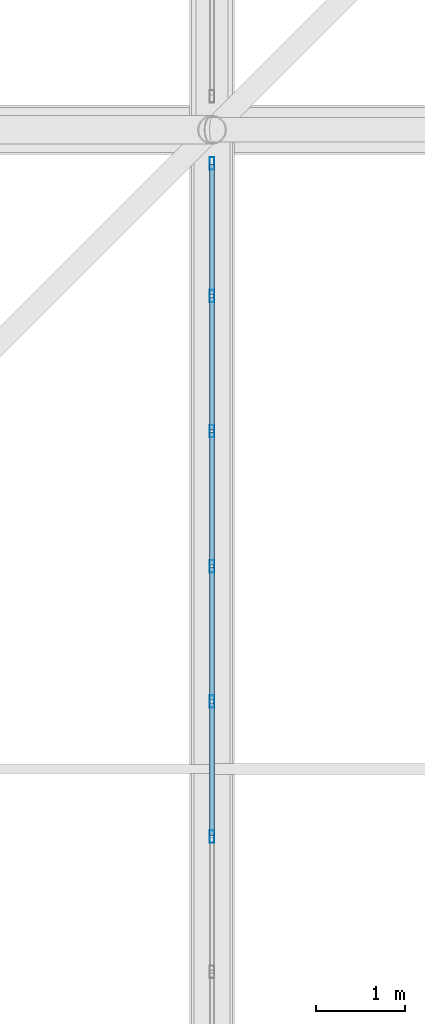
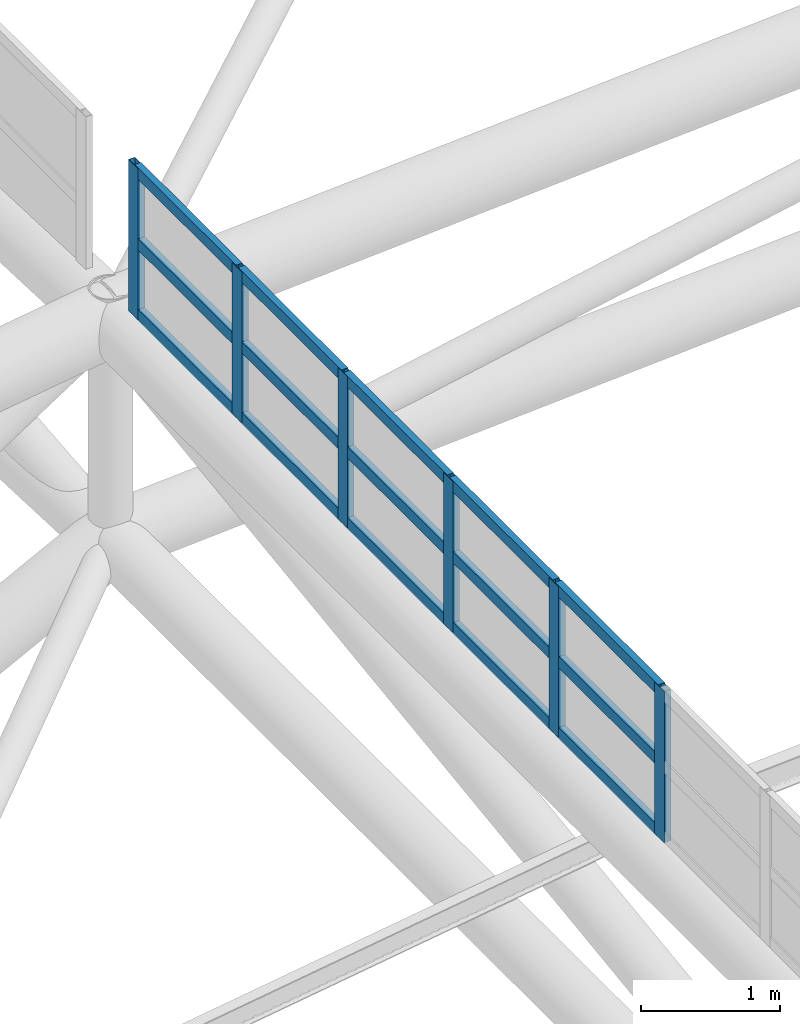
# One storey, part 183 of 397: 21 members, 1 element without a shape of its own.
"""IFC4 building model written with IfcOpenShell, lengths in metres."""

from ifc_helpers import new_model, si_unit, direction, frame, origin, origin_2d, place, context, subcontext, project, spatial, hollow_rectangle, extrude, material, material_profile, profile_set, type_object, element, aggregate, save


model = new_model("IFC4")

# Units and contexts
model_context = context("Model", 3, precision=1e-05, world=origin(), true_north=direction((0.0, 1.0)))
body_context = subcontext(model_context, "Body", "Model", "MODEL_VIEW")
ifc_project = project(units=[si_unit("LENGTHUNIT", "METRE"), si_unit("AREAUNIT", "SQUARE_METRE"), si_unit("VOLUMEUNIT", "CUBIC_METRE"), si_unit("PLANEANGLEUNIT", "RADIAN"), si_unit("MASSUNIT", "GRAM", prefix="KILO")], contexts=[model_context])

# Site, building, storey
site_placement = place(None, origin())
site = spatial("IfcSite", under=ifc_project, at=site_placement, CompositionType="ELEMENT")
building_placement = place(site_placement, origin())
building = spatial("IfcBuilding", under=site, at=building_placement, Name="Qandorah Velis Arena", CompositionType="ELEMENT")
storey_placement = place(building_placement, frame((0.0, 0.0, 27.5)))
storey = spatial("IfcBuildingStorey", under=building, at=storey_placement, Name="RF", CompositionType="ELEMENT", Elevation=27.5)

# Curtain wall, members
ifc_material_1 = material(Name="Solar-control low-E double glazing", Category="glass")
curtain_wall_type = type_object("IfcCurtainWallType", Name="ARC-CW-SYS08", PredefinedType="USERDEFINED", material=ifc_material_1)
curtain_wall_placement = place(storey_placement, origin())
curtain_wall = element("IfcCurtainWall", 1, at=curtain_wall_placement, inside=storey, type_object=curtain_wall_type, Name="Unitised curtain wall OCULUS-1-3", ObjectType="UNITISED CURTAIN WALL", PredefinedType="USERDEFINED")
ifc_material_2 = material(Name="Champagne-bronze anodized aluminium 6063-T6", Category="aluminium")
ifc_material_profile_1 = material_profile(ifc_material_2, hollow_rectangle(XDim=0.054931640625, YDim=0.139892578125, WallThickness=0.0029296875, at=origin_2d()), Name="ALU MULLION 55x140")
ifc_profile_set_1 = profile_set([ifc_material_profile_1], Name="Champagne-bronze anodized aluminium 6063-T6")
member_type_1 = type_object("IfcMemberType", Name="ARC-CWM-140", PredefinedType="MULLION", material=ifc_profile_set_1)
member_1_placement = place(storey_placement, frame((28.800048828125, 64.038818359375, 9.68408203125), z_axis=(0.0, 0.0, 1.0), x_axis=(-1.0, 0.0, 0.0)))
member_1 = element("IfcMember", 2, at=member_1_placement, type_object=member_type_1, Name="CW08 mullion 5", PredefinedType="MULLION", context=body_context, shape_type="SweptSolid", body=[
    extrude(hollow_rectangle(XDim=0.054931640625, YDim=0.139892578125, WallThickness=0.0029296875, at=origin_2d()), origin(), (0.0, 0.0, 1.0), 1.330810546875),
])
member_2_placement = place(storey_placement, frame((28.800048828125, 65.56103515625, 9.68408203125), z_axis=(0.0, 0.0, 1.0), x_axis=(-1.0, 0.0, 0.0)))
member_2 = element("IfcMember", 3, at=member_2_placement, type_object=member_type_1, Name="CW08 mullion 6", PredefinedType="MULLION", context=body_context, shape_type="SweptSolid", body=[
    extrude(hollow_rectangle(XDim=0.054931640625, YDim=0.139892578125, WallThickness=0.0029296875, at=origin_2d()), origin(), (0.0, 0.0, 1.0), 1.330810546875),
])
member_3_placement = place(storey_placement, frame((28.800048828125, 67.083251953125, 9.68408203125), z_axis=(0.0, 0.0, 1.0), x_axis=(-1.0, 0.0, 0.0)))
member_3 = element("IfcMember", 4, at=member_3_placement, type_object=member_type_1, Name="CW08 mullion 7", PredefinedType="MULLION", context=body_context, shape_type="SweptSolid", body=[
    extrude(hollow_rectangle(XDim=0.054931640625, YDim=0.139892578125, WallThickness=0.0029296875, at=origin_2d()), origin(), (0.0, 0.0, 1.0), 1.330810546875),
])
member_4_placement = place(storey_placement, frame((28.800048828125, 68.60546875, 9.68408203125), z_axis=(0.0, 0.0, 1.0), x_axis=(-1.0, 0.0, 0.0)))
member_4 = element("IfcMember", 5, at=member_4_placement, type_object=member_type_1, Name="CW08 mullion 8", PredefinedType="MULLION", context=body_context, shape_type="SweptSolid", body=[
    extrude(hollow_rectangle(XDim=0.054931640625, YDim=0.139892578125, WallThickness=0.0029296875, at=origin_2d()), origin(), (0.0, 0.0, 1.0), 1.330810546875),
])
member_5_placement = place(storey_placement, frame((28.800048828125, 70.127685546875, 9.68408203125), z_axis=(0.0, 0.0, 1.0), x_axis=(-1.0, 0.0, 0.0)))
member_5 = element("IfcMember", 6, at=member_5_placement, type_object=member_type_1, Name="CW08 mullion 9", PredefinedType="MULLION", context=body_context, shape_type="SweptSolid", body=[
    extrude(hollow_rectangle(XDim=0.054931640625, YDim=0.139892578125, WallThickness=0.0029296875, at=origin_2d()), origin(), (0.0, 0.0, 1.0), 1.330810546875),
])
member_6_placement = place(storey_placement, frame((28.800048828125, 71.62255859375, 9.68408203125), z_axis=(0.0, 0.0, 1.0), x_axis=(-1.0, 0.0, 0.0)))
member_6 = element("IfcMember", 7, at=member_6_placement, type_object=member_type_1, Name="CW08 mullion 10", PredefinedType="MULLION", context=body_context, shape_type="SweptSolid", body=[
    extrude(hollow_rectangle(XDim=0.054931640625, YDim=0.139892578125, WallThickness=0.0029296875, at=origin_2d()), origin(), (0.0, 0.0, 1.0), 1.330810546875),
])
ifc_material_profile_2 = material_profile(ifc_material_2, hollow_rectangle(XDim=0.054931640625, YDim=0.10009765625, WallThickness=0.0029296875, at=origin_2d()), Name="ALU TRANSOM 55x100")
ifc_profile_set_2 = profile_set([ifc_material_profile_2], Name="Champagne-bronze anodized aluminium 6063-T6")
member_type_2 = type_object("IfcMemberType", Name="ARC-CWT-100", PredefinedType="USERDEFINED", material=ifc_profile_set_2)
member_7_placement = place(storey_placement, frame((28.800048828125, 64.054443359375, 9.7265625), z_axis=(0.0, 1.0, 0.0), x_axis=(-1.0, 0.0, 0.0)))
member_7 = element("IfcMember", 8, at=member_7_placement, type_object=member_type_2, Name="CW08 transom 5.1", ObjectType="TRANSOM", PredefinedType="USERDEFINED", context=body_context, shape_type="SweptSolid", body=[
    extrude(hollow_rectangle(XDim=0.054931640625, YDim=0.10009765625, WallThickness=0.0029296875, at=origin_2d()), origin(), (0.0, 0.0, 1.0), 1.4912109375),
])
member_8_placement = place(storey_placement, frame((28.800048828125, 64.054443359375, 10.349609375), z_axis=(0.0, 1.0, 0.0), x_axis=(-1.0, 0.0, 0.0)))
member_8 = element("IfcMember", 9, at=member_8_placement, type_object=member_type_2, Name="CW08 transom 5.2", ObjectType="TRANSOM", PredefinedType="USERDEFINED", context=body_context, shape_type="SweptSolid", body=[
    extrude(hollow_rectangle(XDim=0.054931640625, YDim=0.10009765625, WallThickness=0.0029296875, at=origin_2d()), origin(), (0.0, 0.0, 1.0), 1.4912109375),
])
member_9_placement = place(storey_placement, frame((28.800048828125, 64.054443359375, 10.972412109375), z_axis=(0.0, 1.0, 0.0), x_axis=(-1.0, 0.0, 0.0)))
member_9 = element("IfcMember", 10, at=member_9_placement, type_object=member_type_2, Name="CW08 transom 5.3", ObjectType="TRANSOM", PredefinedType="USERDEFINED", context=body_context, shape_type="SweptSolid", body=[
    extrude(hollow_rectangle(XDim=0.054931640625, YDim=0.10009765625, WallThickness=0.0029296875, at=origin_2d()), origin(), (0.0, 0.0, 1.0), 1.4912109375),
])
member_10_placement = place(storey_placement, frame((28.800048828125, 65.57666015625, 9.7265625), z_axis=(0.0, 1.0, 0.0), x_axis=(-1.0, 0.0, 0.0)))
member_10 = element("IfcMember", 11, at=member_10_placement, type_object=member_type_2, Name="CW08 transom 6.1", ObjectType="TRANSOM", PredefinedType="USERDEFINED", context=body_context, shape_type="SweptSolid", body=[
    extrude(hollow_rectangle(XDim=0.054931640625, YDim=0.10009765625, WallThickness=0.0029296875, at=origin_2d()), origin(), (0.0, 0.0, 1.0), 1.4912109375),
])
member_11_placement = place(storey_placement, frame((28.800048828125, 65.57666015625, 10.349609375), z_axis=(0.0, 1.0, 0.0), x_axis=(-1.0, 0.0, 0.0)))
member_11 = element("IfcMember", 12, at=member_11_placement, type_object=member_type_2, Name="CW08 transom 6.2", ObjectType="TRANSOM", PredefinedType="USERDEFINED", context=body_context, shape_type="SweptSolid", body=[
    extrude(hollow_rectangle(XDim=0.054931640625, YDim=0.10009765625, WallThickness=0.0029296875, at=origin_2d()), origin(), (0.0, 0.0, 1.0), 1.4912109375),
])
member_12_placement = place(storey_placement, frame((28.800048828125, 65.57666015625, 10.972412109375), z_axis=(0.0, 1.0, 0.0), x_axis=(-1.0, 0.0, 0.0)))
member_12 = element("IfcMember", 13, at=member_12_placement, type_object=member_type_2, Name="CW08 transom 6.3", ObjectType="TRANSOM", PredefinedType="USERDEFINED", context=body_context, shape_type="SweptSolid", body=[
    extrude(hollow_rectangle(XDim=0.054931640625, YDim=0.10009765625, WallThickness=0.0029296875, at=origin_2d()), origin(), (0.0, 0.0, 1.0), 1.4912109375),
])
member_13_placement = place(storey_placement, frame((28.800048828125, 67.098876953125, 9.7265625), z_axis=(0.0, 1.0, 0.0), x_axis=(-1.0, 0.0, 0.0)))
member_13 = element("IfcMember", 14, at=member_13_placement, type_object=member_type_2, Name="CW08 transom 7.1", ObjectType="TRANSOM", PredefinedType="USERDEFINED", context=body_context, shape_type="SweptSolid", body=[
    extrude(hollow_rectangle(XDim=0.054931640625, YDim=0.10009765625, WallThickness=0.0029296875, at=origin_2d()), origin(), (0.0, 0.0, 1.0), 1.4912109375),
])
member_14_placement = place(storey_placement, frame((28.800048828125, 67.098876953125, 10.349609375), z_axis=(0.0, 1.0, 0.0), x_axis=(-1.0, 0.0, 0.0)))
member_14 = element("IfcMember", 15, at=member_14_placement, type_object=member_type_2, Name="CW08 transom 7.2", ObjectType="TRANSOM", PredefinedType="USERDEFINED", context=body_context, shape_type="SweptSolid", body=[
    extrude(hollow_rectangle(XDim=0.054931640625, YDim=0.10009765625, WallThickness=0.0029296875, at=origin_2d()), origin(), (0.0, 0.0, 1.0), 1.4912109375),
])
member_15_placement = place(storey_placement, frame((28.800048828125, 67.098876953125, 10.972412109375), z_axis=(0.0, 1.0, 0.0), x_axis=(-1.0, 0.0, 0.0)))
member_15 = element("IfcMember", 16, at=member_15_placement, type_object=member_type_2, Name="CW08 transom 7.3", ObjectType="TRANSOM", PredefinedType="USERDEFINED", context=body_context, shape_type="SweptSolid", body=[
    extrude(hollow_rectangle(XDim=0.054931640625, YDim=0.10009765625, WallThickness=0.0029296875, at=origin_2d()), origin(), (0.0, 0.0, 1.0), 1.4912109375),
])
member_16_placement = place(storey_placement, frame((28.800048828125, 68.62109375, 9.7265625), z_axis=(0.0, 1.0, 0.0), x_axis=(-1.0, 0.0, 0.0)))
member_16 = element("IfcMember", 17, at=member_16_placement, type_object=member_type_2, Name="CW08 transom 8.1", ObjectType="TRANSOM", PredefinedType="USERDEFINED", context=body_context, shape_type="SweptSolid", body=[
    extrude(hollow_rectangle(XDim=0.054931640625, YDim=0.10009765625, WallThickness=0.0029296875, at=origin_2d()), origin(), (0.0, 0.0, 1.0), 1.4912109375),
])
member_17_placement = place(storey_placement, frame((28.800048828125, 68.62109375, 10.349609375), z_axis=(0.0, 1.0, 0.0), x_axis=(-1.0, 0.0, 0.0)))
member_17 = element("IfcMember", 18, at=member_17_placement, type_object=member_type_2, Name="CW08 transom 8.2", ObjectType="TRANSOM", PredefinedType="USERDEFINED", context=body_context, shape_type="SweptSolid", body=[
    extrude(hollow_rectangle(XDim=0.054931640625, YDim=0.10009765625, WallThickness=0.0029296875, at=origin_2d()), origin(), (0.0, 0.0, 1.0), 1.4912109375),
])
member_18_placement = place(storey_placement, frame((28.800048828125, 68.62109375, 10.972412109375), z_axis=(0.0, 1.0, 0.0), x_axis=(-1.0, 0.0, 0.0)))
member_18 = element("IfcMember", 19, at=member_18_placement, type_object=member_type_2, Name="CW08 transom 8.3", ObjectType="TRANSOM", PredefinedType="USERDEFINED", context=body_context, shape_type="SweptSolid", body=[
    extrude(hollow_rectangle(XDim=0.054931640625, YDim=0.10009765625, WallThickness=0.0029296875, at=origin_2d()), origin(), (0.0, 0.0, 1.0), 1.4912109375),
])
member_19_placement = place(storey_placement, frame((28.800048828125, 70.143310546875, 9.7265625), z_axis=(0.0, 1.0, 0.0), x_axis=(-1.0, 0.0, 0.0)))
member_19 = element("IfcMember", 20, at=member_19_placement, type_object=member_type_2, Name="CW08 transom 9.1", ObjectType="TRANSOM", PredefinedType="USERDEFINED", context=body_context, shape_type="SweptSolid", body=[
    extrude(hollow_rectangle(XDim=0.054931640625, YDim=0.10009765625, WallThickness=0.0029296875, at=origin_2d()), origin(), (0.0, 0.0, 1.0), 1.463623046875),
])
member_20_placement = place(storey_placement, frame((28.800048828125, 70.143310546875, 10.349609375), z_axis=(0.0, 1.0, 0.0), x_axis=(-1.0, 0.0, 0.0)))
member_20 = element("IfcMember", 21, at=member_20_placement, type_object=member_type_2, Name="CW08 transom 9.2", ObjectType="TRANSOM", PredefinedType="USERDEFINED", context=body_context, shape_type="SweptSolid", body=[
    extrude(hollow_rectangle(XDim=0.054931640625, YDim=0.10009765625, WallThickness=0.0029296875, at=origin_2d()), origin(), (0.0, 0.0, 1.0), 1.463623046875),
])
member_21_placement = place(storey_placement, frame((28.800048828125, 70.143310546875, 10.972412109375), z_axis=(0.0, 1.0, 0.0), x_axis=(-1.0, 0.0, 0.0)))
member_21 = element("IfcMember", 22, at=member_21_placement, type_object=member_type_2, Name="CW08 transom 9.3", ObjectType="TRANSOM", PredefinedType="USERDEFINED", context=body_context, shape_type="SweptSolid", body=[
    extrude(hollow_rectangle(XDim=0.054931640625, YDim=0.10009765625, WallThickness=0.0029296875, at=origin_2d()), origin(), (0.0, 0.0, 1.0), 1.463623046875),
])
aggregate(curtain_wall, [member_1, member_2, member_3, member_4, member_5, member_6, member_7, member_8, member_9, member_10, member_11, member_12, member_13, member_14, member_15, member_16, member_17, member_18, member_19, member_20, member_21])

save(model, "model.ifc")
